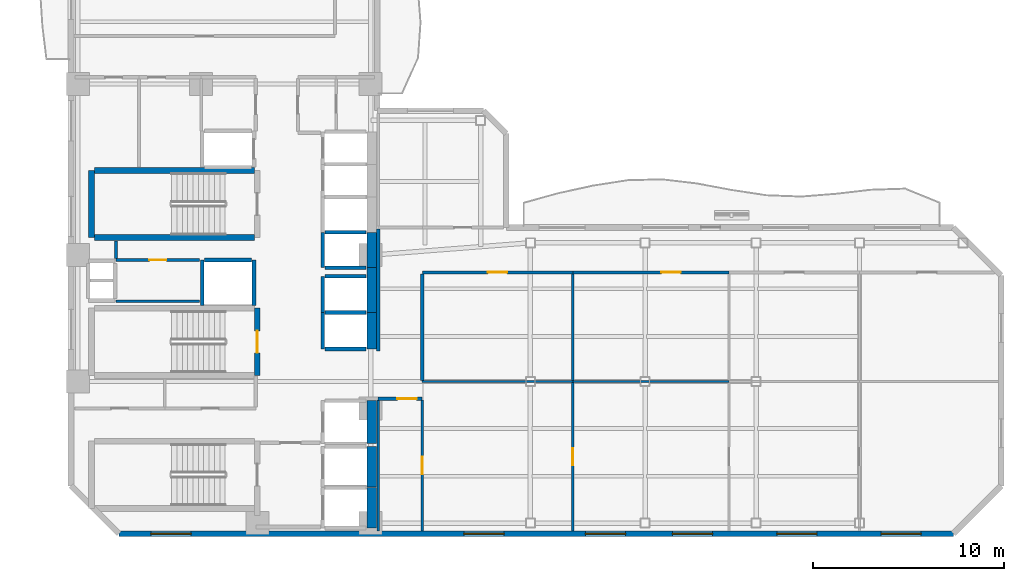
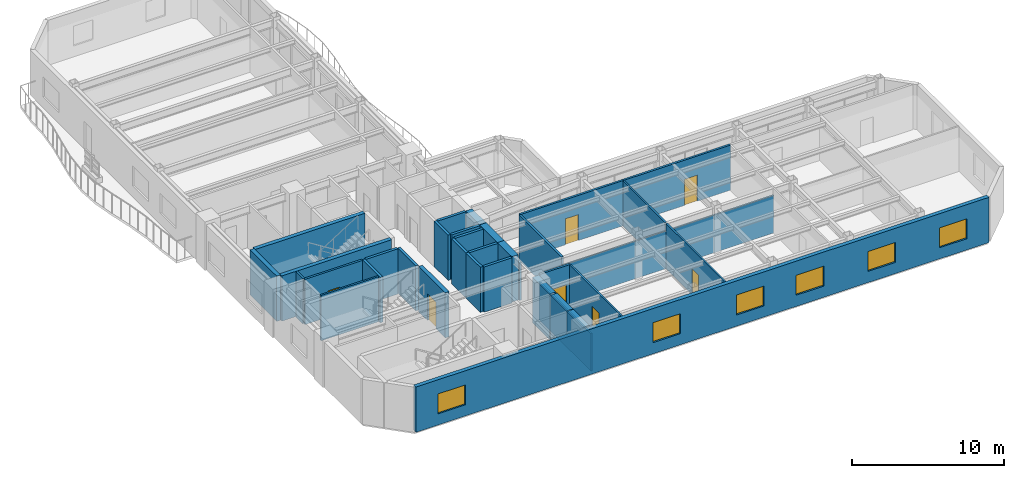
# One storey, part 3 of 9: 36 walls, 7 doors, 6 windows, 13 openings.
"""IFC4 building model written with IfcOpenShell, lengths in metres."""

from ifc_helpers import new_model, si_unit, direction, frame, frame_2d, origin, place, context, subcontext, project, spatial, rectangle, extrude, material, layer, layer_set, type_object, element, fill, save


model = new_model("IFC4")

# Units and contexts
model_context = context("Model", 3, precision=1e-05, world=origin(), true_north=direction((0.0, 1.0)))
body_context = subcontext(model_context, "Body", "Model", "MODEL_VIEW")
ifc_project = project(units=[si_unit("LENGTHUNIT", "METRE"), si_unit("AREAUNIT", "SQUARE_METRE"), si_unit("VOLUMEUNIT", "CUBIC_METRE"), si_unit("PLANEANGLEUNIT", "RADIAN"), si_unit("MASSUNIT", "GRAM", prefix="KILO")], contexts=[model_context])

# Site, building, storey
site_placement = place(None, origin())
site = spatial("IfcSite", under=ifc_project, at=site_placement, CompositionType="ELEMENT")
building_placement = place(site_placement, origin())
building = spatial("IfcBuilding", under=site, at=building_placement, Name="Mawjaban Terraces University", CompositionType="ELEMENT")
storey_placement = place(building_placement, frame((0.0, 0.0, 161.89990234375)))
storey = spatial("IfcBuildingStorey", under=building, at=storey_placement, Name="L39", CompositionType="ELEMENT", Elevation=161.89990234375)

# Walls
ifc_material_1 = material(Name="Concrete C60/75", Category="concrete")
ifc_layer_1 = layer(ifc_material_1, 0.5)
ifc_layer_set_1 = layer_set([ifc_layer_1], Name="Concrete C60/75")
wall_type_1 = type_object("IfcWallType", Name="CoreShearWall_500", PredefinedType="SHEAR", material=ifc_layer_set_1)
wall_1_placement = place(storey_placement, frame((37.699951171875, 0.300048828125, 0.0), z_axis=(0.0, 0.0, 1.0), x_axis=(0.0, 1.0, 0.0)))
element("IfcWall", 1, at=wall_1_placement, inside=storey, type_object=wall_type_1, Name="L39 Lift FL-1 Hoistway Wall East", PredefinedType="SHEAR", context=body_context, shape_type="SweptSolid", body=[
    extrude(rectangle(XDim=2.099853515625, YDim=0.5, at=frame_2d((1.0498046875, 0.0))), origin(), (0.0, 0.0, 1.0), 3.64013671875),
])
wall_2_placement = place(storey_placement, frame((37.699951171875, 2.449951171875, 0.0), z_axis=(0.0, 0.0, 1.0), x_axis=(0.0, 1.0, 0.0)))
element("IfcWall", 2, at=wall_2_placement, inside=storey, type_object=wall_type_1, Name="L39 Lift FL-2 Hoistway Wall East", PredefinedType="SHEAR", context=body_context, shape_type="SweptSolid", body=[
    extrude(rectangle(XDim=2.10009765625, YDim=0.5, at=frame_2d((1.050048828125, 0.0))), origin(), (0.0, 0.0, 1.0), 3.64013671875),
])
wall_3_placement = place(storey_placement, frame((37.699951171875, 4.699951171875, 0.0), z_axis=(0.0, 0.0, 1.0), x_axis=(0.0, 1.0, 0.0)))
element("IfcWall", 3, at=wall_3_placement, inside=storey, type_object=wall_type_1, Name="L39 Lift SL-1 Hoistway Wall East", PredefinedType="SHEAR", context=body_context, shape_type="SweptSolid", body=[
    extrude(rectangle(XDim=2.25, YDim=0.5, at=frame_2d((1.125, 0.0))), origin(), (0.0, 0.0, 1.0), 3.64013671875),
])
wall_4_placement = place(storey_placement, frame((37.699951171875, 9.64990234375, 0.0), z_axis=(0.0, 0.0, 1.0), x_axis=(0.0, 1.0, 0.0)))
element("IfcWall", 4, at=wall_4_placement, inside=storey, type_object=wall_type_1, Name="L39 Lift PL-H1 Hoistway Wall East", PredefinedType="SHEAR", context=body_context, shape_type="SweptSolid", body=[
    extrude(rectangle(XDim=1.900146484375, YDim=0.5, at=frame_2d((0.9501953125, 0.0))), origin(), (0.0, 0.0, 1.0), 3.64013671875),
])
wall_5_placement = place(storey_placement, frame((37.699951171875, 11.550048828125, 0.0), z_axis=(0.0, 0.0, 1.0), x_axis=(0.0, 1.0, 0.0)))
element("IfcWall", 5, at=wall_5_placement, inside=storey, type_object=wall_type_1, Name="L39 Lift PL-H2 Hoistway Wall East", PredefinedType="SHEAR", context=body_context, shape_type="SweptSolid", body=[
    extrude(rectangle(XDim=2.349853515625, YDim=0.5, at=frame_2d((1.1748046875, 0.0))), origin(), (0.0, 0.0, 1.0), 3.64013671875),
])
wall_6_placement = place(storey_placement, frame((37.699951171875, 13.89990234375, 0.0), z_axis=(0.0, 0.0, 1.0), x_axis=(0.0, 1.0, 0.0)))
element("IfcWall", 6, at=wall_6_placement, inside=storey, type_object=wall_type_1, Name="L39 Lift OL-1 Hoistway Wall East", PredefinedType="SHEAR", context=body_context, shape_type="SweptSolid", body=[
    extrude(rectangle(XDim=1.85009765625, YDim=0.5, at=frame_2d((0.925048828125, 0.0))), origin(), (0.0, 0.0, 1.0), 3.64013671875),
])

# Wall, opening, door
ifc_material_2 = material(Name="Fire-rated gypsum board on steel stud", Category="steel")
ifc_layer_2 = layer(ifc_material_2, 0.159912109375)
ifc_layer_set_2 = layer_set([ifc_layer_2], Name="Fire-rated gypsum board on steel stud")
wall_type_2 = type_object("IfcWallType", Name="CorridorPartition_160", PredefinedType="PARTITIONING", material=ifc_layer_set_2)
wall_7_placement = place(storey_placement, frame((24.35009765625, 14.300048828125, 0.0), z_axis=(0.0, 0.0, 1.0), x_axis=(1.0, 0.0, 0.0)))
wall_7 = element("IfcWall", 7, at=wall_7_placement, inside=storey, type_object=wall_type_2, Name="L39 Core Riser Access Passage Partition 2", PredefinedType="PARTITIONING", context=body_context, shape_type="SweptSolid", body=[
    extrude(rectangle(XDim=4.369873046875, YDim=0.159912109375, at=frame_2d((2.18505859375, 0.0))), origin(), (0.0, 0.0, 1.0), 3.64013671875),
])
opening_1_placement = place(wall_7_placement, frame((1.7451171875, 0.0, 0.0)))
opening_1 = element("IfcOpeningElement", 8, at=opening_1_placement, cuts=wall_7, Name="Opening ID-088", PredefinedType="OPENING", context=body_context, shape_type="SweptSolid", body=[
    extrude(rectangle(XDim=0.8798828125, YDim=2.10009765625, at=frame_2d((0.43994140625, 1.050048828125))), frame((0.0, 0.08984375, 0.0), z_axis=(0.0, -1.0, 0.0), x_axis=(1.0, 0.0, 0.0)), (0.0, 0.0, 1.0), 0.179931640625),
])
ifc_material_3 = material(Name="Powder-coated steel frame and solid acoustic timber leaf", Category="steel")
door_type_1 = type_object("IfcDoorType", Name="ToiletDoor_880x2100", OperationType="NOTDEFINED", PredefinedType="DOOR", material=ifc_material_3)
door_1_placement = place(opening_1_placement, origin())
door_1 = element("IfcDoor", 9, at=door_1_placement, inside=storey, type_object=door_type_1, Name="L39 Ablution Room Door", OperationType="SINGLE_SWING_LEFT", OverallHeight=2.10009765625, OverallWidth=0.8798828125, PredefinedType="DOOR", context=body_context, shape_type="SweptSolid", body=[
    extrude(rectangle(XDim=0.8798828125, YDim=2.10009765625, at=frame_2d((0.43994140625, 1.050048828125))), frame((0.0, 0.02490234375, 0.0), z_axis=(0.0, -1.0, 0.0), x_axis=(1.0, 0.0, 0.0)), (0.0, 0.0, 1.0), 0.050048828125),
])
fill(opening_1, door_1)

wall_8_placement = place(storey_placement, frame((38.050048828125, 7.050048828125, 0.0), z_axis=(0.0, 0.0, 1.0), x_axis=(1.0, 0.0, 0.0)))
wall_8 = element("IfcWall", 10, at=wall_8_placement, inside=storey, type_object=wall_type_2, Name="L39 Inner Gallery Link Corridor Partition 16", PredefinedType="PARTITIONING", context=body_context, shape_type="SweptSolid", body=[
    extrude(rectangle(XDim=2.300048828125, YDim=0.159912109375, at=frame_2d((1.14990234375, 0.0))), origin(), (0.0, 0.0, 1.0), 3.64013671875),
])
opening_2_placement = place(wall_8_placement, frame((1.0, 0.0, 0.0)))
opening_2 = element("IfcOpeningElement", 11, at=opening_2_placement, cuts=wall_8, Name="Opening ID-100", PredefinedType="OPENING", context=body_context, shape_type="SweptSolid", body=[
    extrude(rectangle(XDim=1.0, YDim=2.10009765625, at=frame_2d((0.5, 1.050048828125))), frame((0.0, 0.08984375, 0.0), z_axis=(0.0, -1.0, 0.0), x_axis=(1.0, 0.0, 0.0)), (0.0, 0.0, 1.0), 0.179931640625),
])
door_type_2 = type_object("IfcDoorType", Name="ClassroomDoor_1000x2100", OperationType="NOTDEFINED", PredefinedType="DOOR", material=ifc_material_3)
door_2_placement = place(opening_2_placement, origin())
door_2 = element("IfcDoor", 12, at=door_2_placement, inside=storey, type_object=door_type_2, Name="L39 Tutorial Room 1 Door", OperationType="SINGLE_SWING_RIGHT", OverallHeight=2.10009765625, OverallWidth=1.0, PredefinedType="DOOR", context=body_context, shape_type="SweptSolid", body=[
    extrude(rectangle(XDim=1.0, YDim=2.10009765625, at=frame_2d((0.5, 1.050048828125))), frame((0.0, 0.02490234375, 0.0), z_axis=(0.0, -1.0, 0.0), x_axis=(1.0, 0.0, 0.0)), (0.0, 0.0, 1.0), 0.050048828125),
])
fill(opening_2, door_2)

wall_9_placement = place(storey_placement, frame((40.35009765625, 13.64990234375, 0.0), z_axis=(0.0, 0.0, 1.0), x_axis=(1.0, 0.0, 0.0)))
wall_9 = element("IfcWall", 13, at=wall_9_placement, inside=storey, type_object=wall_type_2, Name="L39 Inner Terrace Gallery Corridor East Partition 17", PredefinedType="PARTITIONING", context=body_context, shape_type="SweptSolid", body=[
    extrude(rectangle(XDim=7.869873046875, YDim=0.159912109375, at=frame_2d((3.93505859375, 0.0))), origin(), (0.0, 0.0, 1.0), 3.64013671875),
])
opening_3_placement = place(wall_9_placement, frame((3.43505859375, 0.0, 0.0)))
opening_3 = element("IfcOpeningElement", 14, at=opening_3_placement, cuts=wall_9, Name="Opening ID-100", PredefinedType="OPENING", context=body_context, shape_type="SweptSolid", body=[
    extrude(rectangle(XDim=1.0, YDim=2.10009765625, at=frame_2d((0.5, 1.050048828125))), frame((0.0, 0.08984375, 0.0), z_axis=(0.0, -1.0, 0.0), x_axis=(1.0, 0.0, 0.0)), (0.0, 0.0, 1.0), 0.179931640625),
])
door_3_placement = place(opening_3_placement, origin())
door_3 = element("IfcDoor", 15, at=door_3_placement, inside=storey, type_object=door_type_2, Name="L39 Classroom 3 Door", OperationType="SINGLE_SWING_RIGHT", OverallHeight=2.10009765625, OverallWidth=1.0, PredefinedType="DOOR", context=body_context, shape_type="SweptSolid", body=[
    extrude(rectangle(XDim=1.0, YDim=2.10009765625, at=frame_2d((0.5, 1.050048828125))), frame((0.0, 0.02490234375, 0.0), z_axis=(0.0, -1.0, 0.0), x_axis=(1.0, 0.0, 0.0)), (0.0, 0.0, 1.0), 0.050048828125),
])
fill(opening_3, door_3)

wall_10_placement = place(storey_placement, frame((48.219970703125, 13.64990234375, 0.0), z_axis=(0.0, 0.0, 1.0), x_axis=(1.0, 0.0, 0.0)))
wall_10 = element("IfcWall", 16, at=wall_10_placement, inside=storey, type_object=wall_type_2, Name="L39 Inner Terrace Gallery Corridor East Partition 21", PredefinedType="PARTITIONING", context=body_context, shape_type="SweptSolid", body=[
    extrude(rectangle(XDim=8.159912109375, YDim=0.159912109375, at=frame_2d((4.080078125, 0.0))), origin(), (0.0, 0.0, 1.0), 3.64013671875),
])
opening_4_placement = place(wall_10_placement, frame((4.6298828125, 0.0, 0.0)))
opening_4 = element("IfcOpeningElement", 17, at=opening_4_placement, cuts=wall_10, Name="Opening ID-100", PredefinedType="OPENING", context=body_context, shape_type="SweptSolid", body=[
    extrude(rectangle(XDim=1.0, YDim=2.10009765625, at=frame_2d((0.5, 1.050048828125))), frame((0.0, 0.08984375, 0.0), z_axis=(0.0, -1.0, 0.0), x_axis=(1.0, 0.0, 0.0)), (0.0, 0.0, 1.0), 0.179931640625),
])
door_4_placement = place(opening_4_placement, origin())
door_4 = element("IfcDoor", 18, at=door_4_placement, inside=storey, type_object=door_type_2, Name="L39 Tutorial Room 5 Door", OperationType="SINGLE_SWING_RIGHT", OverallHeight=2.10009765625, OverallWidth=1.0, PredefinedType="DOOR", context=body_context, shape_type="SweptSolid", body=[
    extrude(rectangle(XDim=1.0, YDim=2.10009765625, at=frame_2d((0.5, 1.050048828125))), frame((0.0, 0.02490234375, 0.0), z_axis=(0.0, -1.0, 0.0), x_axis=(1.0, 0.0, 0.0)), (0.0, 0.0, 1.0), 0.050048828125),
])
fill(opening_4, door_4)

# Walls
wall_11_placement = place(storey_placement, frame((24.35009765625, 15.2900390625, 0.0), z_axis=(0.0, 0.0, 1.0), x_axis=(0.0, -1.0, 0.0)))
element("IfcWall", 19, at=wall_11_placement, inside=storey, type_object=wall_type_2, Name="L39 Core Riser Access Passage Partition 27", PredefinedType="PARTITIONING", context=body_context, shape_type="SweptSolid", body=[
    extrude(rectangle(XDim=0.9150390625, YDim=0.159912109375, at=frame_2d((0.45751953125, 0.0))), origin(), (0.0, 0.0, 1.0), 3.64013671875),
])
wall_12_placement = place(storey_placement, frame((38.050048828125, 15.925048828125, 0.0), z_axis=(0.0, 0.0, 1.0), x_axis=(0.0, -1.0, 0.0)))
element("IfcWall", 20, at=wall_12_placement, inside=storey, type_object=wall_type_2, Name="L39 Inner Gallery Link Corridor Partition 39", PredefinedType="PARTITIONING", context=body_context, shape_type="SweptSolid", body=[
    extrude(rectangle(XDim=6.375, YDim=0.159912109375, at=frame_2d((3.1875, 0.0))), origin(), (0.0, 0.0, 1.0), 3.023193359375),
])
wall_13_placement = place(storey_placement, frame((40.35009765625, 8.0, 0.0), z_axis=(0.0, 0.0, 1.0), x_axis=(0.0, 1.0, 0.0)))
element("IfcWall", 21, at=wall_13_placement, inside=storey, type_object=wall_type_2, Name="L39 Inner Gallery Link Corridor Partition 42", PredefinedType="PARTITIONING", context=body_context, shape_type="SweptSolid", body=[
    extrude(rectangle(XDim=5.574951171875, YDim=0.159912109375, at=frame_2d((2.78759765625, 0.0))), origin(), (0.0, 0.0, 1.0), 3.64013671875),
])

# Wall, openings, windows
ifc_material_4 = material(Name="Insulated terracotta rainscreen on concrete backup C40/50", Category="masonry")
ifc_layer_3 = layer(ifc_material_4, 0.300048828125)
ifc_layer_set_3 = layer_set([ifc_layer_3], Name="Insulated terracotta rainscreen on concrete backup C40/50")
wall_type_3 = type_object("IfcWallType", Name="ExtTerracottaWall_300", PredefinedType="SOLIDWALL", material=ifc_layer_set_3)
wall_14_placement = place(storey_placement, frame((24.5, 0.0, 0.0), z_axis=(0.0, 0.0, 1.0), x_axis=(1.0, 0.0, 0.0)))
wall_14 = element("IfcWall", 22, at=wall_14_placement, inside=storey, type_object=wall_type_3, Name="L39 Exterior Terracotta Wall 1", PredefinedType="SOLIDWALL", context=body_context, shape_type="SweptSolid", body=[
    extrude(rectangle(XDim=43.60009765625, YDim=0.300048828125, at=frame_2d((21.800048828125, 0.0))), origin(), (0.0, 0.0, 1.0), 3.64013671875),
])
opening_5_placement = place(wall_14_placement, frame((1.675048828125, 0.0, 0.89990234375)))
opening_5 = element("IfcOpeningElement", 23, at=opening_5_placement, cuts=wall_14, Name="Opening W-04", PredefinedType="OPENING", context=body_context, shape_type="SweptSolid", body=[
    extrude(rectangle(XDim=2.10009765625, YDim=1.60009765625, at=frame_2d((1.050048828125, 0.800048828125))), frame((0.0, 0.159912109375, 0.0), z_axis=(0.0, -1.0, 0.0), x_axis=(1.0, 0.0, 0.0)), (0.0, 0.0, 1.0), 0.320068359375),
])
opening_6_placement = place(wall_14_placement, frame((18.02490234375, 0.0, 0.89990234375)))
opening_6 = element("IfcOpeningElement", 24, at=opening_6_placement, cuts=wall_14, Name="Opening W-04", PredefinedType="OPENING", context=body_context, shape_type="SweptSolid", body=[
    extrude(rectangle(XDim=2.10009765625, YDim=1.60009765625, at=frame_2d((1.050048828125, 0.800048828125))), frame((0.0, 0.159912109375, 0.0), z_axis=(0.0, -1.0, 0.0), x_axis=(1.0, 0.0, 0.0)), (0.0, 0.0, 1.0), 0.320068359375),
])
opening_7_placement = place(wall_14_placement, frame((24.375, 0.0, 0.89990234375)))
opening_7 = element("IfcOpeningElement", 25, at=opening_7_placement, cuts=wall_14, Name="Opening W-04", PredefinedType="OPENING", context=body_context, shape_type="SweptSolid", body=[
    extrude(rectangle(XDim=2.10009765625, YDim=1.60009765625, at=frame_2d((1.050048828125, 0.800048828125))), frame((0.0, 0.159912109375, 0.0), z_axis=(0.0, -1.0, 0.0), x_axis=(1.0, 0.0, 0.0)), (0.0, 0.0, 1.0), 0.320068359375),
])
opening_8_placement = place(wall_14_placement, frame((28.925048828125, 0.0, 0.89990234375)))
opening_8 = element("IfcOpeningElement", 26, at=opening_8_placement, cuts=wall_14, Name="Opening W-04", PredefinedType="OPENING", context=body_context, shape_type="SweptSolid", body=[
    extrude(rectangle(XDim=2.10009765625, YDim=1.60009765625, at=frame_2d((1.050048828125, 0.800048828125))), frame((0.0, 0.159912109375, 0.0), z_axis=(0.0, -1.0, 0.0), x_axis=(1.0, 0.0, 0.0)), (0.0, 0.0, 1.0), 0.320068359375),
])
opening_9_placement = place(wall_14_placement, frame((34.375, 0.0, 0.89990234375)))
opening_9 = element("IfcOpeningElement", 27, at=opening_9_placement, cuts=wall_14, Name="Opening W-04", PredefinedType="OPENING", context=body_context, shape_type="SweptSolid", body=[
    extrude(rectangle(XDim=2.10009765625, YDim=1.60009765625, at=frame_2d((1.050048828125, 0.800048828125))), frame((0.0, 0.159912109375, 0.0), z_axis=(0.0, -1.0, 0.0), x_axis=(1.0, 0.0, 0.0)), (0.0, 0.0, 1.0), 0.320068359375),
])
opening_10_placement = place(wall_14_placement, frame((39.824951171875, 0.0, 0.89990234375)))
opening_10 = element("IfcOpeningElement", 28, at=opening_10_placement, cuts=wall_14, Name="Opening W-04", PredefinedType="OPENING", context=body_context, shape_type="SweptSolid", body=[
    extrude(rectangle(XDim=2.10009765625, YDim=1.60009765625, at=frame_2d((1.050048828125, 0.800048828125))), frame((0.0, 0.159912109375, 0.0), z_axis=(0.0, -1.0, 0.0), x_axis=(1.0, 0.0, 0.0)), (0.0, 0.0, 1.0), 0.320068359375),
])
ifc_material_5 = material(Name="Low-E solar-control double glazing in thermally broken aluminium frame", Category="aluminium")
window_type = type_object("IfcWindowType", Name="Win_2100x1600", PartitioningType="SINGLE_PANEL", PredefinedType="WINDOW", material=ifc_material_5)
window_1_placement = place(opening_5_placement, origin())
window_1 = element("IfcWindow", 29, at=window_1_placement, inside=storey, type_object=window_type, Name="L39 Facade Window 1.1", OverallHeight=1.60009765625, OverallWidth=2.10009765625, PartitioningType="SINGLE_PANEL", PredefinedType="WINDOW", context=body_context, shape_type="SweptSolid", body=[
    extrude(rectangle(XDim=2.10009765625, YDim=1.60009765625, at=frame_2d((1.050048828125, 0.800048828125))), frame((0.0, 0.030029296875, 0.0), z_axis=(0.0, -1.0, 0.0), x_axis=(1.0, 0.0, 0.0)), (0.0, 0.0, 1.0), 0.06005859375),
])
fill(opening_5, window_1)
window_2_placement = place(opening_6_placement, origin())
window_2 = element("IfcWindow", 30, at=window_2_placement, inside=storey, type_object=window_type, Name="L39 Facade Window 1.4", OverallHeight=1.60009765625, OverallWidth=2.10009765625, PartitioningType="SINGLE_PANEL", PredefinedType="WINDOW", context=body_context, shape_type="SweptSolid", body=[
    extrude(rectangle(XDim=2.10009765625, YDim=1.60009765625, at=frame_2d((1.050048828125, 0.800048828125))), frame((0.0, 0.030029296875, 0.0), z_axis=(0.0, -1.0, 0.0), x_axis=(1.0, 0.0, 0.0)), (0.0, 0.0, 1.0), 0.06005859375),
])
fill(opening_6, window_2)
window_3_placement = place(opening_7_placement, origin())
window_3 = element("IfcWindow", 31, at=window_3_placement, inside=storey, type_object=window_type, Name="L39 Facade Window 1.5", OverallHeight=1.60009765625, OverallWidth=2.10009765625, PartitioningType="SINGLE_PANEL", PredefinedType="WINDOW", context=body_context, shape_type="SweptSolid", body=[
    extrude(rectangle(XDim=2.10009765625, YDim=1.60009765625, at=frame_2d((1.050048828125, 0.800048828125))), frame((0.0, 0.030029296875, 0.0), z_axis=(0.0, -1.0, 0.0), x_axis=(1.0, 0.0, 0.0)), (0.0, 0.0, 1.0), 0.06005859375),
])
fill(opening_7, window_3)
window_4_placement = place(opening_8_placement, origin())
window_4 = element("IfcWindow", 32, at=window_4_placement, inside=storey, type_object=window_type, Name="L39 Facade Window 1.6", OverallHeight=1.60009765625, OverallWidth=2.10009765625, PartitioningType="SINGLE_PANEL", PredefinedType="WINDOW", context=body_context, shape_type="SweptSolid", body=[
    extrude(rectangle(XDim=2.10009765625, YDim=1.60009765625, at=frame_2d((1.050048828125, 0.800048828125))), frame((0.0, 0.030029296875, 0.0), z_axis=(0.0, -1.0, 0.0), x_axis=(1.0, 0.0, 0.0)), (0.0, 0.0, 1.0), 0.06005859375),
])
fill(opening_8, window_4)
window_5_placement = place(opening_9_placement, origin())
window_5 = element("IfcWindow", 33, at=window_5_placement, inside=storey, type_object=window_type, Name="L39 Facade Window 1.7", OverallHeight=1.60009765625, OverallWidth=2.10009765625, PartitioningType="SINGLE_PANEL", PredefinedType="WINDOW", context=body_context, shape_type="SweptSolid", body=[
    extrude(rectangle(XDim=2.10009765625, YDim=1.60009765625, at=frame_2d((1.050048828125, 0.800048828125))), frame((0.0, 0.030029296875, 0.0), z_axis=(0.0, -1.0, 0.0), x_axis=(1.0, 0.0, 0.0)), (0.0, 0.0, 1.0), 0.06005859375),
])
fill(opening_9, window_5)
window_6_placement = place(opening_10_placement, origin())
window_6 = element("IfcWindow", 34, at=window_6_placement, inside=storey, type_object=window_type, Name="L39 Facade Window 1.8", OverallHeight=1.60009765625, OverallWidth=2.10009765625, PartitioningType="SINGLE_PANEL", PredefinedType="WINDOW", context=body_context, shape_type="SweptSolid", body=[
    extrude(rectangle(XDim=2.10009765625, YDim=1.60009765625, at=frame_2d((1.050048828125, 0.800048828125))), frame((0.0, 0.030029296875, 0.0), z_axis=(0.0, -1.0, 0.0), x_axis=(1.0, 0.0, 0.0)), (0.0, 0.0, 1.0), 0.06005859375),
])
fill(opening_10, window_6)

# Walls
ifc_material_6 = material(Name="Concrete C40/50", Category="concrete")
ifc_layer_4 = layer(ifc_material_6, 0.199951171875)
ifc_layer_set_4 = layer_set([ifc_layer_4], Name="Concrete C40/50")
wall_type_4 = type_object("IfcWallType", Name="FireLobbyWall_200", PredefinedType="SOLIDWALL", material=ifc_layer_set_4)
wall_15_placement = place(storey_placement, frame((35.14990234375, 11.550048828125, 0.0), z_axis=(0.0, 0.0, 1.0), x_axis=(0.0, -1.0, 0.0)))
element("IfcWall", 35, at=wall_15_placement, inside=storey, type_object=wall_type_4, Name="L39 Lift PL-H1 Hoistway Wall West", PredefinedType="SOLIDWALL", context=body_context, shape_type="SweptSolid", body=[
    extrude(rectangle(XDim=1.900146484375, YDim=0.199951171875, at=frame_2d((0.9501953125, 0.0))), origin(), (0.0, 0.0, 1.0), 3.64013671875),
])
for number, where, z_axis, x_axis, name in (
    (36, (35.280029296875, 9.64990234375, 0.0), (0.0, 0.0, 1.0), (1.0, 0.0, 0.0), "L39 Lift PL-H1 Hoistway Wall South"),
    (37, (37.419921875, 11.550048828125, 0.0), (0.0, 0.0, 1.0), (-1.0, 0.0, 0.0), "L39 Lift PL-H1 Hoistway Wall North"),
):
    element("IfcWall", number, at=place(storey_placement, frame(where, z_axis=z_axis, x_axis=x_axis)), inside=storey, type_object=wall_type_4, Name=name, PredefinedType="SOLIDWALL", context=body_context, shape_type="SweptSolid", body=[
        extrude(rectangle(XDim=2.139892578125, YDim=0.199951171875, at=frame_2d((1.06982421875, 0.0))), origin(), (0.0, 0.0, 1.0), 3.64013671875),
    ])
wall_16_placement = place(storey_placement, frame((35.14990234375, 13.449951171875, 0.0), z_axis=(0.0, 0.0, 1.0), x_axis=(0.0, -1.0, 0.0)))
element("IfcWall", 38, at=wall_16_placement, inside=storey, type_object=wall_type_4, Name="L39 Lift PL-H2 Hoistway Wall West", PredefinedType="SOLIDWALL", context=body_context, shape_type="SweptSolid", body=[
    extrude(rectangle(XDim=1.89990234375, YDim=0.199951171875, at=frame_2d((0.949951171875, 0.0))), origin(), (0.0, 0.0, 1.0), 3.64013671875),
])
wall_17_placement = place(storey_placement, frame((37.419921875, 13.449951171875, 0.0), z_axis=(0.0, 0.0, 1.0), x_axis=(-1.0, 0.0, 0.0)))
element("IfcWall", 39, at=wall_17_placement, inside=storey, type_object=wall_type_4, Name="L39 Lift PL-H2 Hoistway Wall North", PredefinedType="SOLIDWALL", context=body_context, shape_type="SweptSolid", body=[
    extrude(rectangle(XDim=2.139892578125, YDim=0.199951171875, at=frame_2d((1.06982421875, 0.0))), origin(), (0.0, 0.0, 1.0), 3.64013671875),
])
for number, where, z_axis, x_axis, name in (
    (40, (28.85009765625, 14.300048828125, 0.0), (0.0, 0.0, 1.0), (0.0, -1.0, 0.0), "L39 Lift PL-H3 Hoistway Wall West"),
    (41, (31.550048828125, 11.929931640625, 0.0), (0.0, 0.0, 1.0), (0.0, 1.0, 0.0), "L39 Lift PL-H3 Hoistway Wall East"),
):
    element("IfcWall", number, at=place(storey_placement, frame(where, z_axis=z_axis, x_axis=x_axis)), inside=storey, type_object=wall_type_4, Name=name, PredefinedType="SOLIDWALL", context=body_context, shape_type="SweptSolid", body=[
        extrude(rectangle(XDim=2.3701171875, YDim=0.199951171875, at=frame_2d((1.18505859375, 0.0))), origin(), (0.0, 0.0, 1.0), 3.64013671875),
    ])
wall_18_placement = place(storey_placement, frame((31.419921875, 14.300048828125, 0.0), z_axis=(0.0, 0.0, 1.0), x_axis=(-1.0, 0.0, 0.0)))
element("IfcWall", 42, at=wall_18_placement, inside=storey, type_object=wall_type_4, Name="L39 Lift PL-H3 Hoistway Wall North", PredefinedType="SOLIDWALL", context=body_context, shape_type="SweptSolid", body=[
    extrude(rectangle(XDim=2.43994140625, YDim=0.199951171875, at=frame_2d((1.219970703125, 0.0))), origin(), (0.0, 0.0, 1.0), 3.64013671875),
])
wall_19_placement = place(storey_placement, frame((35.14990234375, 15.75, 0.0), z_axis=(0.0, 0.0, 1.0), x_axis=(0.0, -1.0, 0.0)))
element("IfcWall", 43, at=wall_19_placement, inside=storey, type_object=wall_type_4, Name="L39 Lift OL-1 Hoistway Wall West", PredefinedType="SOLIDWALL", context=body_context, shape_type="SweptSolid", body=[
    extrude(rectangle(XDim=1.85009765625, YDim=0.199951171875, at=frame_2d((0.925048828125, 0.0))), origin(), (0.0, 0.0, 1.0), 3.64013671875),
])
for number, where, z_axis, x_axis, name in (
    (44, (35.280029296875, 13.89990234375, 0.0), (0.0, 0.0, 1.0), (1.0, 0.0, 0.0), "L39 Lift OL-1 Hoistway Wall South"),
    (45, (37.419921875, 15.75, 0.0), (0.0, 0.0, 1.0), (-1.0, 0.0, 0.0), "L39 Lift OL-1 Hoistway Wall North"),
):
    element("IfcWall", number, at=place(storey_placement, frame(where, z_axis=z_axis, x_axis=x_axis)), inside=storey, type_object=wall_type_4, Name=name, PredefinedType="SOLIDWALL", context=body_context, shape_type="SweptSolid", body=[
        extrude(rectangle(XDim=2.139892578125, YDim=0.199951171875, at=frame_2d((1.06982421875, 0.0))), origin(), (0.0, 0.0, 1.0), 3.64013671875),
    ])
ifc_material_7 = material(Name="Gypsum plasterboard on steel stud", Category="steel")
ifc_layer_5 = layer(ifc_material_7, 0.125)
ifc_layer_set_5 = layer_set([ifc_layer_5], Name="Gypsum plasterboard on steel stud")
wall_type_5 = type_object("IfcWallType", Name="OfficePartition_125", PredefinedType="PARTITIONING", material=ifc_layer_set_5)
wall_20_placement = place(storey_placement, frame((56.3798828125, 7.949951171875, 0.0), z_axis=(0.0, 0.0, 1.0), x_axis=(-1.0, 0.0, 0.0)))
element("IfcWall", 46, at=wall_20_placement, inside=storey, type_object=wall_type_5, Name="L39 Seminar Room 4 Partition 22", PredefinedType="PARTITIONING", context=body_context, shape_type="SweptSolid", body=[
    extrude(rectangle(XDim=8.159912109375, YDim=0.125, at=frame_2d((4.080078125, 0.0))), origin(), (0.0, 0.0, 1.0), 3.023193359375),
])
wall_21_placement = place(storey_placement, frame((38.050048828125, 6.97509765625, 0.0), z_axis=(0.0, 0.0, 1.0), x_axis=(0.0, -1.0, 0.0)))
element("IfcWall", 47, at=wall_21_placement, inside=storey, type_object=wall_type_5, Name="L39 Tutorial Room 1 Partition 38", PredefinedType="PARTITIONING", context=body_context, shape_type="SweptSolid", body=[
    extrude(rectangle(XDim=6.830078125, YDim=0.125, at=frame_2d((3.4150390625, 0.0))), origin(), (0.0, 0.0, 1.0), 3.023193359375),
])

# Wall, opening, door
wall_22_placement = place(storey_placement, frame((40.35009765625, 0.14501953125, 0.0), z_axis=(0.0, 0.0, 1.0), x_axis=(0.0, 1.0, 0.0)))
wall_22 = element("IfcWall", 48, at=wall_22_placement, inside=storey, type_object=wall_type_5, Name="L39 Tutorial Room 1 Partition 41", PredefinedType="PARTITIONING", context=body_context, shape_type="SweptSolid", body=[
    extrude(rectangle(XDim=6.830078125, YDim=0.125, at=frame_2d((3.4150390625, 0.0))), origin(), (0.0, 0.0, 1.0), 3.64013671875),
])
opening_11_placement = place(wall_22_placement, frame((2.965087890625, 0.0, 0.0)))
opening_11 = element("IfcOpeningElement", 49, at=opening_11_placement, cuts=wall_22, Name="Opening ID-090", PredefinedType="OPENING", context=body_context, shape_type="SweptSolid", body=[
    extrude(rectangle(XDim=0.89990234375, YDim=2.10009765625, at=frame_2d((0.449951171875, 1.050048828125))), frame((0.0, 0.072509765625, 0.0), z_axis=(0.0, -1.0, 0.0), x_axis=(1.0, 0.0, 0.0)), (0.0, 0.0, 1.0), 0.14501953125),
])
door_type_3 = type_object("IfcDoorType", Name="OfficeDoor_900x2100", OperationType="NOTDEFINED", PredefinedType="DOOR", material=ifc_material_3)
door_5_placement = place(opening_11_placement, origin())
door_5 = element("IfcDoor", 50, at=door_5_placement, inside=storey, type_object=door_type_3, Name="L39 Conference Room 2 Door", OperationType="SINGLE_SWING_LEFT", OverallHeight=2.10009765625, OverallWidth=0.89990234375, PredefinedType="DOOR", context=body_context, shape_type="SweptSolid", body=[
    extrude(rectangle(XDim=0.89990234375, YDim=2.10009765625, at=frame_2d((0.449951171875, 1.050048828125))), frame((0.0, 0.02490234375, 0.0), z_axis=(0.0, -1.0, 0.0), x_axis=(1.0, 0.0, 0.0)), (0.0, 0.0, 1.0), 0.050048828125),
])
fill(opening_11, door_5)

wall_23_placement = place(storey_placement, frame((48.219970703125, 0.14501953125, 0.0), z_axis=(0.0, 0.0, 1.0), x_axis=(0.0, 1.0, 0.0)))
wall_23 = element("IfcWall", 51, at=wall_23_placement, inside=storey, type_object=wall_type_5, Name="L39 Conference Room 2 Partition 43", PredefinedType="PARTITIONING", context=body_context, shape_type="SweptSolid", body=[
    extrude(rectangle(XDim=7.748046875, YDim=0.125, at=frame_2d((3.8740234375, 0.0))), origin(), (0.0, 0.0, 1.0), 3.64013671875),
])
opening_12_placement = place(wall_23_placement, frame((3.424072265625, 0.0, 0.0)))
opening_12 = element("IfcOpeningElement", 52, at=opening_12_placement, cuts=wall_23, Name="Opening ID-090", PredefinedType="OPENING", context=body_context, shape_type="SweptSolid", body=[
    extrude(rectangle(XDim=0.89990234375, YDim=2.10009765625, at=frame_2d((0.449951171875, 1.050048828125))), frame((0.0, 0.072509765625, 0.0), z_axis=(0.0, -1.0, 0.0), x_axis=(1.0, 0.0, 0.0)), (0.0, 0.0, 1.0), 0.14501953125),
])
door_6_placement = place(opening_12_placement, origin())
door_6 = element("IfcDoor", 53, at=door_6_placement, inside=storey, type_object=door_type_3, Name="L39 Seminar Room 4 Door", OperationType="SINGLE_SWING_LEFT", OverallHeight=2.10009765625, OverallWidth=0.89990234375, PredefinedType="DOOR", context=body_context, shape_type="SweptSolid", body=[
    extrude(rectangle(XDim=0.89990234375, YDim=2.10009765625, at=frame_2d((0.449951171875, 1.050048828125))), frame((0.0, 0.02490234375, 0.0), z_axis=(0.0, -1.0, 0.0), x_axis=(1.0, 0.0, 0.0)), (0.0, 0.0, 1.0), 0.050048828125),
])
fill(opening_12, door_6)

# Walls
wall_24_placement = place(storey_placement, frame((48.219970703125, 8.008056640625, 0.0), z_axis=(0.0, 0.0, 1.0), x_axis=(0.0, 1.0, 0.0)))
element("IfcWall", 54, at=wall_24_placement, inside=storey, type_object=wall_type_5, Name="L39 Classroom 3 Partition 44", PredefinedType="PARTITIONING", context=body_context, shape_type="SweptSolid", body=[
    extrude(rectangle(XDim=5.56689453125, YDim=0.125, at=frame_2d((2.783447265625, 0.0))), origin(), (0.0, 0.0, 1.0), 3.64013671875),
])
ifc_material_8 = material(Name="Acoustic operable panel partition", Category="masonry")
ifc_layer_6 = layer(ifc_material_8, 0.110107421875)
ifc_layer_set_6 = layer_set([ifc_layer_6], Name="Acoustic operable panel partition")
wall_type_6 = type_object("IfcWallType", Name="OperableSeminarWall_110", PredefinedType="MOVABLE", material=ifc_layer_set_6)
wall_25_placement = place(storey_placement, frame((48.219970703125, 7.949951171875, 0.0), z_axis=(0.0, 0.0, 1.0), x_axis=(-1.0, 0.0, 0.0)))
element("IfcWall", 55, at=wall_25_placement, inside=storey, type_object=wall_type_6, Name="L39 Conference Room 2 Partition 20", PredefinedType="MOVABLE", context=body_context, shape_type="SweptSolid", body=[
    extrude(rectangle(XDim=7.869873046875, YDim=0.110107421875, at=frame_2d((3.93505859375, 0.0))), origin(), (0.0, 0.0, 1.0), 3.023193359375),
])
ifc_layer_7 = layer(ifc_material_1, 0.300048828125)
ifc_layer_set_7 = layer_set([ifc_layer_7], Name="Concrete C60/75")
wall_type_7 = type_object("IfcWallType", Name="StairShaftWall_300", PredefinedType="SHEAR", material=ifc_layer_set_7)
wall_26_placement = place(storey_placement, frame((31.580078125, 18.97998046875, 0.0), z_axis=(0.0, 0.0, 1.0), x_axis=(-1.0, 0.0, 0.0)))
element("IfcWall", 56, at=wall_26_placement, inside=storey, type_object=wall_type_7, Name="L39 ST-2 Stair Shaft Wall 1", PredefinedType="SHEAR", context=body_context, shape_type="SweptSolid", body=[
    extrude(rectangle(XDim=8.360107421875, YDim=0.300048828125, at=frame_2d((4.18017578125, 0.0))), origin(), (0.0, 0.0, 1.0), 3.64013671875),
])
wall_27_placement = place(storey_placement, frame((23.070068359375, 18.97998046875, 0.0), z_axis=(0.0, 0.0, 1.0), x_axis=(0.0, -1.0, 0.0)))
element("IfcWall", 57, at=wall_27_placement, inside=storey, type_object=wall_type_7, Name="L39 ST-2 Stair Shaft Wall 2", PredefinedType="SHEAR", context=body_context, shape_type="SweptSolid", body=[
    extrude(rectangle(XDim=3.510009765625, YDim=0.300048828125, at=frame_2d((1.7548828125, 0.0))), origin(), (0.0, 0.0, 1.0), 3.64013671875),
])
wall_28_placement = place(storey_placement, frame((23.219970703125, 15.469970703125, 0.0), z_axis=(0.0, 0.0, 1.0), x_axis=(1.0, 0.0, 0.0)))
element("IfcWall", 58, at=wall_28_placement, inside=storey, type_object=wall_type_7, Name="L39 ST-2 Stair Shaft Wall 3", PredefinedType="SHEAR", context=body_context, shape_type="SweptSolid", body=[
    extrude(rectangle(XDim=8.360107421875, YDim=0.300048828125, at=frame_2d((4.18017578125, 0.0))), origin(), (0.0, 0.0, 1.0), 3.64013671875),
])

# Wall, opening, door
wall_29_placement = place(storey_placement, frame((31.72998046875, 8.27001953125, 0.0), z_axis=(0.0, 0.0, 1.0), x_axis=(0.0, 1.0, 0.0)))
wall_29 = element("IfcWall", 59, at=wall_29_placement, inside=storey, type_object=wall_type_7, Name="L39 ST-3 Stair Shaft Wall 4", PredefinedType="SHEAR", context=body_context, shape_type="SweptSolid", body=[
    extrude(rectangle(XDim=3.510009765625, YDim=0.300048828125, at=frame_2d((1.7548828125, 0.0))), origin(), (0.0, 0.0, 1.0), 3.64013671875),
])
opening_13_placement = place(wall_29_placement, frame((1.179931640625, 0.0, 0.0)))
opening_13 = element("IfcOpeningElement", 60, at=opening_13_placement, cuts=wall_29, Name="Opening FD-115", PredefinedType="OPENING", context=body_context, shape_type="SweptSolid", body=[
    extrude(rectangle(XDim=1.14990234375, YDim=2.14990234375, at=frame_2d((0.574951171875, 1.074951171875))), frame((0.0, 0.159912109375, 0.0), z_axis=(0.0, -1.0, 0.0), x_axis=(1.0, 0.0, 0.0)), (0.0, 0.0, 1.0), 0.320068359375),
])
ifc_material_9 = material(Name="Powder-coated steel frame and fire-rated steel-faced leaf", Category="steel")
door_type_4 = type_object("IfcDoorType", Name="FireStairDoor_1150x2150", OperationType="NOTDEFINED", PredefinedType="DOOR", material=ifc_material_9)
door_7_placement = place(opening_13_placement, origin())
door_7 = element("IfcDoor", 61, at=door_7_placement, inside=storey, type_object=door_type_4, Name="L39 ST-3 Pressurised Stair Fire Door", OperationType="SINGLE_SWING_RIGHT", OverallHeight=2.14990234375, OverallWidth=1.14990234375, PredefinedType="DOOR", context=body_context, shape_type="SweptSolid", body=[
    extrude(rectangle(XDim=1.14990234375, YDim=2.14990234375, at=frame_2d((0.574951171875, 1.074951171875))), frame((0.0, 0.02490234375, 0.0), z_axis=(0.0, -1.0, 0.0), x_axis=(1.0, 0.0, 0.0)), (0.0, 0.0, 1.0), 0.050048828125),
])
fill(opening_13, door_7)

# Wall
ifc_material_10 = material(Name="Cement-board wet-room partition", Category="masonry")
ifc_layer_8 = layer(ifc_material_10, 0.135009765625)
ifc_layer_set_8 = layer_set([ifc_layer_8], Name="Cement-board wet-room partition")
wall_type_8 = type_object("IfcWallType", Name="WetRoomPartition_135", PredefinedType="PARTITIONING", material=ifc_layer_set_8)
wall_30_placement = place(storey_placement, frame((24.35009765625, 12.14990234375, 0.0), z_axis=(0.0, 0.0, 1.0), x_axis=(1.0, 0.0, 0.0)))
element("IfcWall", 62, at=wall_30_placement, inside=storey, type_object=wall_type_8, Name="L39 Ablution Room Partition 1", PredefinedType="PARTITIONING", context=body_context, shape_type="SweptSolid", body=[
    extrude(rectangle(XDim=4.369873046875, YDim=0.135009765625, at=frame_2d((2.18505859375, 0.0))), origin(), (0.0, 0.0, 1.0), 3.64013671875),
])

save(model, "model.ifc")
